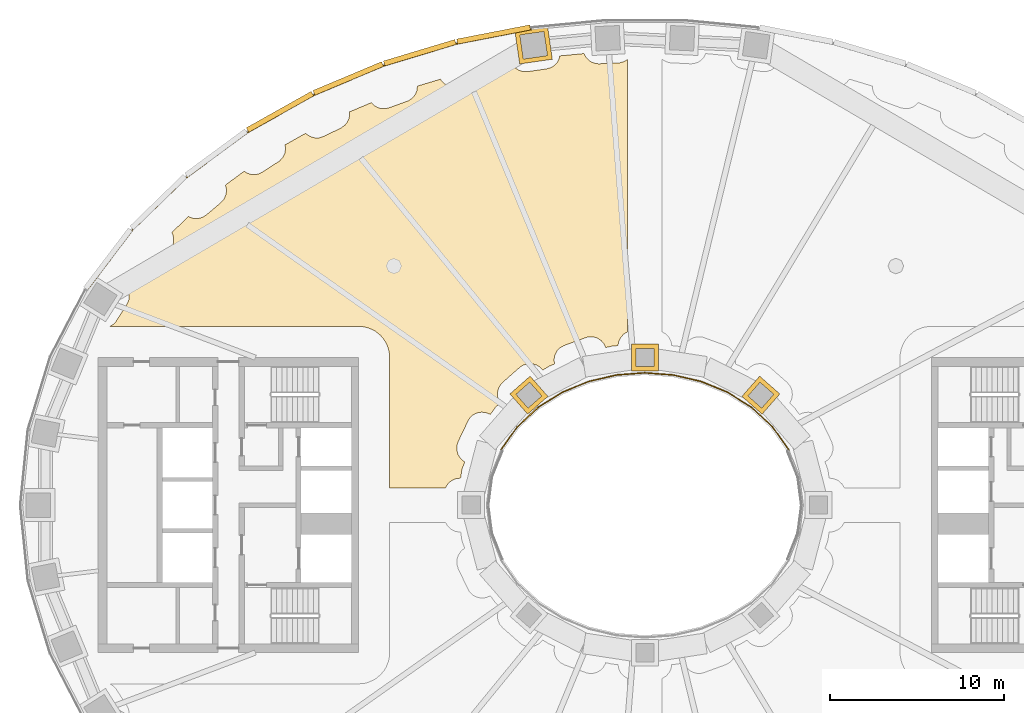
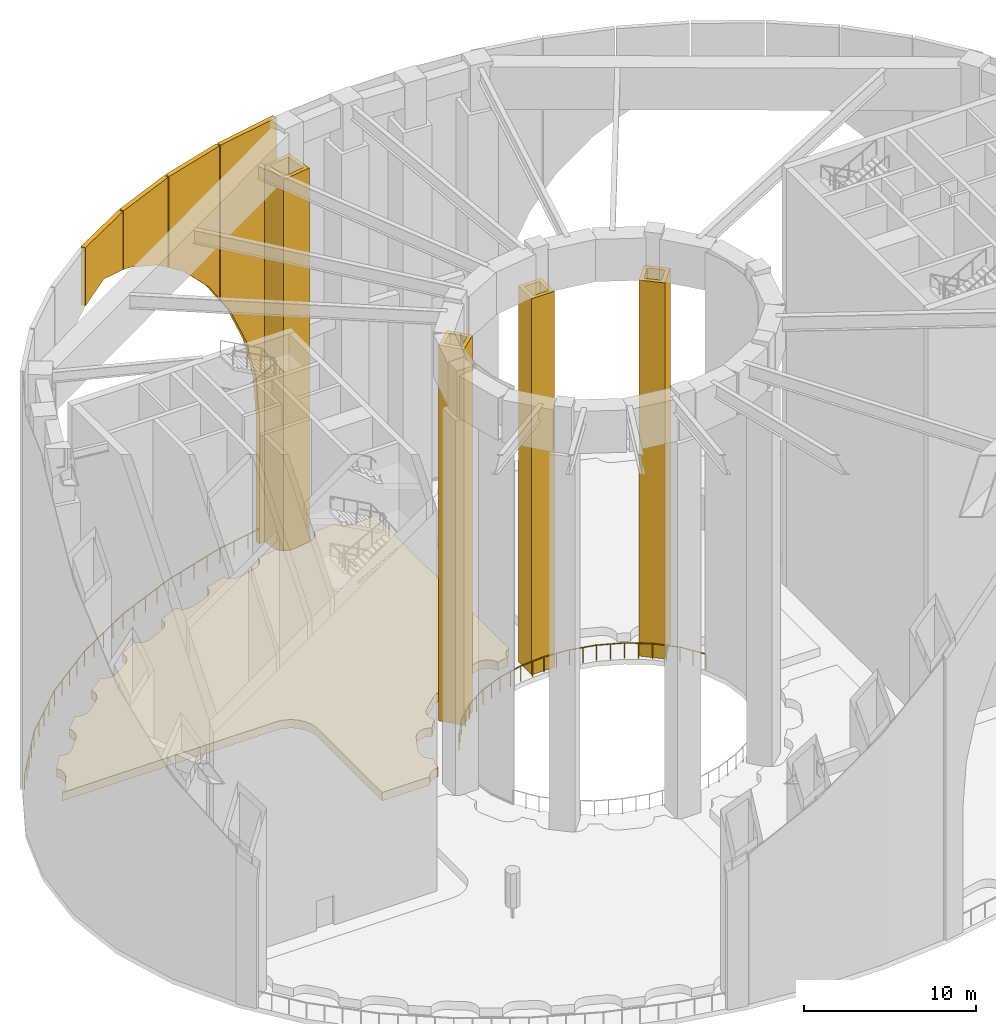
# One storey, part 22 of 26: 9 coverings, 2 railings.
"""IFC4 building model written with IfcOpenShell, lengths in metres."""

from ifc_helpers import new_model, si_unit, direction, frame, origin, origin_2d, place, context, subcontext, project, spatial, polyline, rectangle, outline, extrude, material, layer, layer_set, type_object, element, save


model = new_model("IFC4")

# Units and contexts
model_context = context("Model", 3, precision=1e-05, world=origin(), true_north=direction((0.0, 1.0)))
body_context = subcontext(model_context, "Body", "Model", "MODEL_VIEW")
ifc_project = project(units=[si_unit("LENGTHUNIT", "METRE"), si_unit("AREAUNIT", "SQUARE_METRE"), si_unit("VOLUMEUNIT", "CUBIC_METRE"), si_unit("PLANEANGLEUNIT", "RADIAN"), si_unit("MASSUNIT", "GRAM", prefix="KILO")], contexts=[model_context])

# Site, building, storey
site_placement = place(None, origin())
site = spatial("IfcSite", under=ifc_project, at=site_placement, CompositionType="ELEMENT")
building_placement = place(site_placement, origin())
building = spatial("IfcBuilding", under=site, at=building_placement, Name="Noorbagh Ring Tower", CompositionType="ELEMENT")
storey_placement = place(building_placement, frame((0.0, 0.0, 203.5)))
storey = spatial("IfcBuildingStorey", under=building, at=storey_placement, Name="L47", CompositionType="ELEMENT", Elevation=203.5)

# Railings
ifc_material_1 = material(Name="Stainless steel 316", Category="steel")
railing_type = type_object("IfcRailingType", Name="ENV-GUARD-TERRACE", PredefinedType="GUARDRAIL", material=ifc_material_1)
railing_1_placement = place(storey_placement, frame((-6.54248046875, 27.412353515625, 0.0)))
element("IfcRailing", 1, at=railing_1_placement, inside=storey, type_object=railing_type, Name="Terrace guard arc 2", PredefinedType="GUARDRAIL", context=body_context, shape_type="SweptSolid", body=[
    extrude(rectangle(XDim=0.048095703125, YDim=0.048095703125, at=origin_2d()), frame((0.0, 0.0, 1.076171875), z_axis=(-0.981624683619, -0.190821855429, 0.0), x_axis=(0.190821855429, -0.981624683619, 0.0)), (0.0, 0.0, 1.0), 4.374267578125),
    extrude(rectangle(XDim=0.048095703125, YDim=0.048095703125, at=origin_2d()), frame((-4.2939453125, -0.834716796875, 1.076171875), z_axis=(-0.957572423234, -0.288192738045, 0.0), x_axis=(0.288192738045, -0.957572423234, 0.0)), (0.0, 0.0, 1.0), 4.373779296875),
    extrude(rectangle(XDim=0.048095703125, YDim=0.048095703125, at=origin_2d()), frame((-8.482177734375, -2.09521484375, 1.076171875), z_axis=(-0.921826545382, -0.387602657665, 0.0), x_axis=(0.387602657665, -0.921826545382, 0.0)), (0.0, 0.0, 1.0), 4.37255859375),
    extrude(rectangle(XDim=0.048095703125, YDim=0.048095703125, at=origin_2d()), frame((-12.512939453125, -3.7900390625, 1.076171875), z_axis=(-0.872049444011, -0.489417783903, 0.0), x_axis=(0.489417783903, -0.872049444011, 0.0)), (0.0, 0.0, 1.0), 4.371337890625),
    extrude(rectangle(XDim=0.048095703125, YDim=0.048095703125, at=origin_2d()), frame((-16.324951171875, -5.929443359375, 1.076171875), z_axis=(-0.80514009704, -0.593084668609, 0.0), x_axis=(0.593084668609, -0.80514009704, 0.0)), (0.0, 0.0, 1.0), 4.369140625),
    extrude(rectangle(XDim=0.048095703125, YDim=0.048095703125, at=origin_2d()), frame((-19.8427734375, -8.520751953125, 1.076171875), z_axis=(-0.717208327463, -0.696858820004, 0.0), x_axis=(0.696858820004, -0.717208327463, 0.0)), (0.0, 0.0, 1.0), 4.366943359375),
    extrude(rectangle(XDim=0.048095703125, YDim=0.048095703125, at=origin_2d()), frame((-22.974853515625, -11.56396484375, 1.076171875), z_axis=(-0.604055847, -0.796941988921, 0.0), x_axis=(0.796941988921, -0.604055847, 0.0)), (0.0, 0.0, 1.0), 4.3642578125),
    extrude(rectangle(XDim=0.0419921875, YDim=0.0419921875, at=origin_2d()), origin(), (0.0, 0.0, 1.0), 1.052001953125),
    extrude(rectangle(XDim=0.0419921875, YDim=0.0419921875, at=origin_2d()), frame((-1.073486328125, -0.208740234375, 0.0)), (0.0, 0.0, 1.0), 1.052001953125),
    extrude(rectangle(XDim=0.0419921875, YDim=0.0419921875, at=origin_2d()), frame((-2.14697265625, -0.41748046875, 0.0)), (0.0, 0.0, 1.0), 1.052001953125),
    extrude(rectangle(XDim=0.0419921875, YDim=0.0419921875, at=origin_2d()), frame((-3.220458984375, -0.6259765625, 0.0)), (0.0, 0.0, 1.0), 1.052001953125),
    extrude(rectangle(XDim=0.0419921875, YDim=0.0419921875, at=origin_2d()), frame((-4.2939453125, -0.834716796875, 0.0)), (0.0, 0.0, 1.0), 1.052001953125),
    extrude(rectangle(XDim=0.0419921875, YDim=0.0419921875, at=origin_2d()), frame((-5.341064453125, -1.14990234375, 0.0)), (0.0, 0.0, 1.0), 1.052001953125),
    extrude(rectangle(XDim=0.0419921875, YDim=0.0419921875, at=origin_2d()), frame((-6.38818359375, -1.46484375, 0.0)), (0.0, 0.0, 1.0), 1.052001953125),
    extrude(rectangle(XDim=0.0419921875, YDim=0.0419921875, at=origin_2d()), frame((-7.43505859375, -1.780029296875, 0.0)), (0.0, 0.0, 1.0), 1.052001953125),
    extrude(rectangle(XDim=0.0419921875, YDim=0.0419921875, at=origin_2d()), frame((-8.482177734375, -2.09521484375, 0.0)), (0.0, 0.0, 1.0), 1.052001953125),
    extrude(rectangle(XDim=0.0419921875, YDim=0.0419921875, at=origin_2d()), frame((-9.48974609375, -2.51904296875, 0.0)), (0.0, 0.0, 1.0), 1.052001953125),
    extrude(rectangle(XDim=0.0419921875, YDim=0.0419921875, at=origin_2d()), frame((-10.49755859375, -2.942626953125, 0.0)), (0.0, 0.0, 1.0), 1.052001953125),
    extrude(rectangle(XDim=0.0419921875, YDim=0.0419921875, at=origin_2d()), frame((-11.50537109375, -3.3662109375, 0.0)), (0.0, 0.0, 1.0), 1.052001953125),
    extrude(rectangle(XDim=0.0419921875, YDim=0.0419921875, at=origin_2d()), frame((-12.512939453125, -3.7900390625, 0.0)), (0.0, 0.0, 1.0), 1.052001953125),
    extrude(rectangle(XDim=0.0419921875, YDim=0.0419921875, at=origin_2d()), frame((-13.4658203125, -4.324951171875, 0.0)), (0.0, 0.0, 1.0), 1.052001953125),
    extrude(rectangle(XDim=0.0419921875, YDim=0.0419921875, at=origin_2d()), frame((-14.4189453125, -4.85986328125, 0.0)), (0.0, 0.0, 1.0), 1.052001953125),
    extrude(rectangle(XDim=0.0419921875, YDim=0.0419921875, at=origin_2d()), frame((-15.3720703125, -5.39453125, 0.0)), (0.0, 0.0, 1.0), 1.052001953125),
    extrude(rectangle(XDim=0.0419921875, YDim=0.0419921875, at=origin_2d()), frame((-16.324951171875, -5.929443359375, 0.0)), (0.0, 0.0, 1.0), 1.052001953125),
    extrude(rectangle(XDim=0.0419921875, YDim=0.0419921875, at=origin_2d()), frame((-17.204345703125, -6.5771484375, 0.0)), (0.0, 0.0, 1.0), 1.052001953125),
    extrude(rectangle(XDim=0.0419921875, YDim=0.0419921875, at=origin_2d()), frame((-18.083984375, -7.22509765625, 0.0)), (0.0, 0.0, 1.0), 1.052001953125),
    extrude(rectangle(XDim=0.0419921875, YDim=0.0419921875, at=origin_2d()), frame((-18.96337890625, -7.873046875, 0.0)), (0.0, 0.0, 1.0), 1.052001953125),
    extrude(rectangle(XDim=0.0419921875, YDim=0.0419921875, at=origin_2d()), frame((-19.8427734375, -8.520751953125, 0.0)), (0.0, 0.0, 1.0), 1.052001953125),
    extrude(rectangle(XDim=0.0419921875, YDim=0.0419921875, at=origin_2d()), frame((-20.625732421875, -9.281494140625, 0.0)), (0.0, 0.0, 1.0), 1.052001953125),
    extrude(rectangle(XDim=0.0419921875, YDim=0.0419921875, at=origin_2d()), frame((-21.40869140625, -10.04248046875, 0.0)), (0.0, 0.0, 1.0), 1.052001953125),
    extrude(rectangle(XDim=0.0419921875, YDim=0.0419921875, at=origin_2d()), frame((-22.19189453125, -10.80322265625, 0.0)), (0.0, 0.0, 1.0), 1.052001953125),
    extrude(rectangle(XDim=0.0419921875, YDim=0.0419921875, at=origin_2d()), frame((-22.974853515625, -11.56396484375, 0.0)), (0.0, 0.0, 1.0), 1.052001953125),
    extrude(rectangle(XDim=0.0419921875, YDim=0.0419921875, at=origin_2d()), frame((-23.6337890625, -12.43359375, 0.0)), (0.0, 0.0, 1.0), 1.052001953125),
    extrude(rectangle(XDim=0.0419921875, YDim=0.0419921875, at=origin_2d()), frame((-24.29296875, -13.302978515625, 0.0)), (0.0, 0.0, 1.0), 1.052001953125),
    extrude(rectangle(XDim=0.0419921875, YDim=0.0419921875, at=origin_2d()), frame((-24.9521484375, -14.17236328125, 0.0)), (0.0, 0.0, 1.0), 1.052001953125),
    extrude(rectangle(XDim=0.0419921875, YDim=0.0419921875, at=origin_2d()), frame((-25.611083984375, -15.0419921875, 0.0)), (0.0, 0.0, 1.0), 1.052001953125),
])
railing_2_placement = place(storey_placement, frame((8.296630859375, 3.166259765625, 0.0)))
element("IfcRailing", 2, at=railing_2_placement, inside=storey, type_object=railing_type, Name="Terrace guard well edge 1", PredefinedType="GUARDRAIL", context=body_context, shape_type="SweptSolid", body=[
    extrude(rectangle(XDim=0.048095703125, YDim=0.048095703125, at=origin_2d()), frame((0.0, 0.0, 1.076171875), z_axis=(-0.575093040454, 0.818088011659, 0.0), x_axis=(-0.818088011659, -0.575093040454, 0.0)), (0.0, 0.0, 1.0), 1.646728515625),
    extrude(rectangle(XDim=0.048095703125, YDim=0.048095703125, at=origin_2d()), frame((-0.947021484375, 1.34716796875, 1.076171875), z_axis=(-0.732825217682, 0.680416931248, 0.0), x_axis=(-0.680416931248, -0.732825217682, 0.0)), (0.0, 0.0, 1.0), 1.64453125),
    extrude(rectangle(XDim=0.048095703125, YDim=0.048095703125, at=origin_2d()), frame((-2.152099609375, 2.466064453125, 1.076171875), z_axis=(-0.847379906848, 0.530987093506, 0.0), x_axis=(-0.530987093506, -0.847379906848, 0.0)), (0.0, 0.0, 1.0), 1.642822265625),
    extrude(rectangle(XDim=0.048095703125, YDim=0.048095703125, at=origin_2d()), frame((-3.544189453125, 3.33837890625, 1.076171875), z_axis=(-0.925639334748, 0.378406952852, 0.0), x_axis=(-0.378406952852, -0.925639334748, 0.0)), (0.0, 0.0, 1.0), 1.641357421875),
    extrude(rectangle(XDim=0.048095703125, YDim=0.048095703125, at=origin_2d()), frame((-5.0634765625, 3.95947265625, 1.076171875), z_axis=(-0.974076707118, 0.226217967123, 0.0), x_axis=(-0.226217967123, -0.974076707118, 0.0)), (0.0, 0.0, 1.0), 1.640380859375),
    extrude(rectangle(XDim=0.048095703125, YDim=0.048095703125, at=origin_2d()), frame((-6.661376953125, 4.33056640625, 1.076171875), z_axis=(-0.997158637168, 0.075330288206, 0.0), x_axis=(-0.075330288206, -0.997158637168, 0.0)), (0.0, 0.0, 1.0), 1.639892578125),
    extrude(rectangle(XDim=0.048095703125, YDim=0.048095703125, at=origin_2d()), frame((-8.296630859375, 4.4541015625, 1.076171875), z_axis=(-0.997158637168, -0.075330288206, 0.0), x_axis=(0.075330288206, -0.997158637168, 0.0)), (0.0, 0.0, 1.0), 1.639892578125),
    extrude(rectangle(XDim=0.048095703125, YDim=0.048095703125, at=origin_2d()), frame((-9.931884765625, 4.33056640625, 1.076171875), z_axis=(-0.974076707118, -0.226217967123, 0.0), x_axis=(0.226217967123, -0.974076707118, 0.0)), (0.0, 0.0, 1.0), 1.640380859375),
    extrude(rectangle(XDim=0.048095703125, YDim=0.048095703125, at=origin_2d()), frame((-11.52978515625, 3.95947265625, 1.076171875), z_axis=(-0.925639334748, -0.378406952852, 0.0), x_axis=(0.378406952852, -0.925639334748, 0.0)), (0.0, 0.0, 1.0), 1.641357421875),
    extrude(rectangle(XDim=0.048095703125, YDim=0.048095703125, at=origin_2d()), frame((-13.049072265625, 3.33837890625, 1.076171875), z_axis=(-0.847379906848, -0.530987093506, 0.0), x_axis=(0.530987093506, -0.847379906848, 0.0)), (0.0, 0.0, 1.0), 1.642822265625),
    extrude(rectangle(XDim=0.048095703125, YDim=0.048095703125, at=origin_2d()), frame((-14.441162109375, 2.466064453125, 1.076171875), z_axis=(-0.732825217682, -0.680416931248, 0.0), x_axis=(0.680416931248, -0.732825217682, 0.0)), (0.0, 0.0, 1.0), 1.64453125),
    extrude(rectangle(XDim=0.048095703125, YDim=0.048095703125, at=origin_2d()), frame((-15.646240234375, 1.34716796875, 1.076171875), z_axis=(-0.575093040454, -0.818088011659, 0.0), x_axis=(0.818088011659, -0.575093040454, 0.0)), (0.0, 0.0, 1.0), 1.646728515625),
    extrude(rectangle(XDim=0.0419921875, YDim=0.0419921875, at=origin_2d()), origin(), (0.0, 0.0, 1.0), 1.052001953125),
    extrude(rectangle(XDim=0.0419921875, YDim=0.0419921875, at=origin_2d()), frame((-0.4736328125, 0.673583984375, 0.0)), (0.0, 0.0, 1.0), 1.052001953125),
    extrude(rectangle(XDim=0.0419921875, YDim=0.0419921875, at=origin_2d()), frame((-0.947021484375, 1.34716796875, 0.0)), (0.0, 0.0, 1.0), 1.052001953125),
    extrude(rectangle(XDim=0.0419921875, YDim=0.0419921875, at=origin_2d()), frame((-1.549560546875, 1.90673828125, 0.0)), (0.0, 0.0, 1.0), 1.052001953125),
    extrude(rectangle(XDim=0.0419921875, YDim=0.0419921875, at=origin_2d()), frame((-2.152099609375, 2.466064453125, 0.0)), (0.0, 0.0, 1.0), 1.052001953125),
    extrude(rectangle(XDim=0.0419921875, YDim=0.0419921875, at=origin_2d()), frame((-2.84814453125, 2.90234375, 0.0)), (0.0, 0.0, 1.0), 1.052001953125),
    extrude(rectangle(XDim=0.0419921875, YDim=0.0419921875, at=origin_2d()), frame((-3.544189453125, 3.33837890625, 0.0)), (0.0, 0.0, 1.0), 1.052001953125),
    extrude(rectangle(XDim=0.0419921875, YDim=0.0419921875, at=origin_2d()), frame((-4.3037109375, 3.64892578125, 0.0)), (0.0, 0.0, 1.0), 1.052001953125),
    extrude(rectangle(XDim=0.0419921875, YDim=0.0419921875, at=origin_2d()), frame((-5.0634765625, 3.95947265625, 0.0)), (0.0, 0.0, 1.0), 1.052001953125),
    extrude(rectangle(XDim=0.0419921875, YDim=0.0419921875, at=origin_2d()), frame((-5.8623046875, 4.14501953125, 0.0)), (0.0, 0.0, 1.0), 1.052001953125),
    extrude(rectangle(XDim=0.0419921875, YDim=0.0419921875, at=origin_2d()), frame((-6.661376953125, 4.33056640625, 0.0)), (0.0, 0.0, 1.0), 1.052001953125),
    extrude(rectangle(XDim=0.0419921875, YDim=0.0419921875, at=origin_2d()), frame((-7.47900390625, 4.392333984375, 0.0)), (0.0, 0.0, 1.0), 1.052001953125),
    extrude(rectangle(XDim=0.0419921875, YDim=0.0419921875, at=origin_2d()), frame((-8.296630859375, 4.4541015625, 0.0)), (0.0, 0.0, 1.0), 1.052001953125),
    extrude(rectangle(XDim=0.0419921875, YDim=0.0419921875, at=origin_2d()), frame((-9.1142578125, 4.392333984375, 0.0)), (0.0, 0.0, 1.0), 1.052001953125),
    extrude(rectangle(XDim=0.0419921875, YDim=0.0419921875, at=origin_2d()), frame((-9.931884765625, 4.33056640625, 0.0)), (0.0, 0.0, 1.0), 1.052001953125),
    extrude(rectangle(XDim=0.0419921875, YDim=0.0419921875, at=origin_2d()), frame((-10.73095703125, 4.14501953125, 0.0)), (0.0, 0.0, 1.0), 1.052001953125),
    extrude(rectangle(XDim=0.0419921875, YDim=0.0419921875, at=origin_2d()), frame((-11.52978515625, 3.95947265625, 0.0)), (0.0, 0.0, 1.0), 1.052001953125),
    extrude(rectangle(XDim=0.0419921875, YDim=0.0419921875, at=origin_2d()), frame((-12.28955078125, 3.64892578125, 0.0)), (0.0, 0.0, 1.0), 1.052001953125),
    extrude(rectangle(XDim=0.0419921875, YDim=0.0419921875, at=origin_2d()), frame((-13.049072265625, 3.33837890625, 0.0)), (0.0, 0.0, 1.0), 1.052001953125),
    extrude(rectangle(XDim=0.0419921875, YDim=0.0419921875, at=origin_2d()), frame((-13.7451171875, 2.90234375, 0.0)), (0.0, 0.0, 1.0), 1.052001953125),
    extrude(rectangle(XDim=0.0419921875, YDim=0.0419921875, at=origin_2d()), frame((-14.441162109375, 2.466064453125, 0.0)), (0.0, 0.0, 1.0), 1.052001953125),
    extrude(rectangle(XDim=0.0419921875, YDim=0.0419921875, at=origin_2d()), frame((-15.043701171875, 1.90673828125, 0.0)), (0.0, 0.0, 1.0), 1.052001953125),
    extrude(rectangle(XDim=0.0419921875, YDim=0.0419921875, at=origin_2d()), frame((-15.646240234375, 1.34716796875, 0.0)), (0.0, 0.0, 1.0), 1.052001953125),
    extrude(rectangle(XDim=0.0419921875, YDim=0.0419921875, at=origin_2d()), frame((-16.11962890625, 0.673583984375, 0.0)), (0.0, 0.0, 1.0), 1.052001953125),
    extrude(rectangle(XDim=0.0419921875, YDim=0.0419921875, at=origin_2d()), frame((-16.59326171875, 0.0, 0.0)), (0.0, 0.0, 1.0), 1.052001953125),
])

# Coverings
ifc_material_2 = material(Name="Concrete C30/37 planter with soil", Category="concrete")
covering_type_1 = type_object("IfcCoveringType", Name="ENV-PLANTER", PredefinedType="CLADDING", material=ifc_material_2)
covering_1_placement = place(storey_placement, origin())
element("IfcCovering", 3, at=covering_1_placement, inside=storey, type_object=covering_type_1, Name="PLANTER bed 03", ObjectType="PLANTER", PredefinedType="CLADDING", context=body_context, shape_type="SweptSolid", body=[
    extrude(outline(polyline([(-14.699951171875, 8.5), (-14.734619140625, 8.851318359375), (-14.8369140625, 9.188720703125), (-15.00341796875, 9.5), (-15.227294921875, 9.772705078125), (-15.5, 9.99658203125), (-15.651611328125, 10.08740234375), (-15.9775390625, 10.222412109375), (-16.323486328125, 10.291259765625), (-30.80859375, 10.300048828125), (-30.607177734375, 10.430419921875), (-30.4853515625, 10.55810546875), (-29.845703125, 11.5595703125), (-29.766357421875, 11.717041015625), (-29.71923828125, 11.88720703125), (-29.712890625, 12.151123046875), (-29.783203125, 12.40576171875), (-29.886474609375, 12.580078125), (-29.10009765625, 13.617431640625), (-28.892578125, 13.5625), (-28.71630859375, 13.555908203125), (-28.4580078125, 13.6103515625), (-28.29931640625, 13.687744140625), (-28.097412109375, 13.85791015625), (-27.368408203125, 14.681640625), (-27.224365234375, 14.903076171875), (-27.150634765625, 15.156494140625), (-27.15380859375, 15.420654296875), (-27.19873046875, 15.59130859375), (-27.25244140625, 15.706787109375), (-26.302001953125, 16.6298828125), (-26.17822265625, 16.568359375), (-26.0087890625, 16.519775390625), (-25.744873046875, 16.510986328125), (-25.489501953125, 16.5791015625), (-25.26513671875, 16.718505859375), (-24.42578125, 17.429443359375), (-24.251708984375, 17.627685546875), (-24.142333984375, 17.868408203125), (-24.110595703125, 18.0419921875), (-24.11328125, 18.21826171875), (-24.168212890625, 18.43798828125), (-23.085205078125, 19.235595703125), (-22.883544921875, 19.11376953125), (-22.7158203125, 19.059814453125), (-22.4521484375, 19.04248046875), (-22.278564453125, 19.07421875), (-22.0380859375, 19.183349609375), (-21.0419921875, 19.831298828125), (-20.861572265625, 20.024169921875), (-20.74462890625, 20.260986328125), (-20.701904296875, 20.521484375), (-20.72998046875, 20.755859375), (-19.54296875, 21.422119140625), (-19.425537109375, 21.320068359375), (-19.273193359375, 21.231201171875), (-19.019287109375, 21.15771484375), (-18.75537109375, 21.1611328125), (-18.503662109375, 21.2412109375), (-17.515380859375, 21.724365234375), (-17.297607421875, 21.873779296875), (-17.180908203125, 22.006103515625), (-17.059326171875, 22.240478515625), (-17.018798828125, 22.412353515625), (-17.019775390625, 22.65576171875), (-15.75341796875, 23.188232421875), (-15.575927734375, 23.013427734375), (-15.424560546875, 22.923095703125), (-15.25830078125, 22.864013671875), (-14.99560546875, 22.83837890625), (-14.736572265625, 22.890380859375), (-13.619873046875, 23.29638671875), (-13.400390625, 23.443603515625), (-13.233154296875, 23.64794921875), (-13.132568359375, 23.89208984375), (-13.10693359375, 24.139892578125), (-11.78271484375, 24.53857421875), (-11.621826171875, 24.343017578125), (-11.48046875, 24.2373046875), (-11.23681640625, 24.135498046875), (-11.0625, 24.10888671875), (-10.799560546875, 24.134033203125), (-9.64697265625, 24.423095703125), (-9.41357421875, 24.546875), (-9.226318359375, 24.73291015625), (-9.10107421875, 24.965576171875), (-9.0498046875, 25.21337890625), (-7.68603515625, 25.478515625), (-7.599853515625, 25.33447265625), (-7.481689453125, 25.203125), (-7.2626953125, 25.0556640625), (-7.01025390625, 24.97802734375), (-6.74609375, 24.97705078125), (-5.657470703125, 25.134521484375), (-5.404296875, 25.210205078125), (-5.252685546875, 25.30029296875), (-5.065185546875, 25.486328125), (-4.97412109375, 25.637451171875), (-4.898193359375, 25.881591796875), (-3.51171875, 26.013916015625), (-3.39013671875, 25.787353515625), (-3.20361328125, 25.600341796875), (-3.052490234375, 25.509521484375), (-2.7998046875, 25.432373046875), (-2.62353515625, 25.423583984375), (-1.43701171875, 25.484375), (-1.18408203125, 25.560546875), (-1.0, 25.677734375), (-1.0, 9.981689453125), (-1.220947265625, 9.8486328125), (-1.398193359375, 9.65283203125), (-1.51123046875, 9.4140625), (-1.54833984375, 9.188232421875), (-1.889404296875, 9.1572265625), (-2.2568359375, 9.0771484375), (-2.303466796875, 9.191650390625), (-2.395263671875, 9.34228515625), (-2.5146484375, 9.47216796875), (-2.656982421875, 9.576171875), (-2.817138671875, 9.650390625), (-2.988525390625, 9.69189453125), (-3.164794921875, 9.699462890625), (-3.339111328125, 9.672119140625), (-4.644287109375, 9.198974609375), (-4.876220703125, 9.07275390625), (-5.0615234375, 8.884521484375), (-5.184326171875, 8.650634765625), (-5.23388671875, 8.391357421875), (-5.207275390625, 8.133544921875), (-5.518798828125, 7.9990234375), (-5.88671875, 7.7763671875), (-6.076171875, 7.9658203125), (-6.22607421875, 8.058837890625), (-6.391357421875, 8.120849609375), (-6.5654296875, 8.1494140625), (-6.74169921875, 8.143310546875), (-6.91357421875, 8.10302734375), (-7.07421875, 8.030029296875), (-7.21728515625, 7.927001953125), (-8.19384765625, 7.068603515625), (-8.364501953125, 6.8671875), (-8.468994140625, 6.62451171875), (-8.4990234375, 6.3623046875), (-8.451416015625, 6.102294921875), (-8.341552734375, 5.884765625), (-8.61474609375, 5.61767578125), (-8.904541015625, 5.222900390625), (-9.080078125, 5.30126953125), (-9.251220703125, 5.344482421875), (-9.42724609375, 5.353271484375), (-9.601806640625, 5.32763671875), (-9.76806640625, 5.268310546875), (-9.91943359375, 5.177978515625), (-10.05029296875, 5.0595703125), (-10.155517578125, 4.91796875), (-10.754638671875, 3.66552734375), (-10.83154296875, 3.4130859375), (-10.831787109375, 3.14892578125), (-10.755615234375, 2.89599609375), (-10.609130859375, 2.67626953125), (-10.478515625, 2.5576171875), (-10.375244140625, 2.492431640625), (-10.5126953125, 2.13134765625), (-10.55078125, 1.985595703125), (-10.61376953125, 1.550048828125), (-10.74658203125, 1.545654296875), (-10.919677734375, 1.51123046875), (-11.158447265625, 1.398193359375), (-11.35400390625, 1.220947265625), (-11.4873046875, 1.0), (-14.699951171875, 1.0), (-14.699951171875, 8.5)])), origin(), (0.0, 0.0, 1.0), 0.60009765625),
])
ifc_material_3 = material(Name="Sandstone cladding", Category="masonry")
ifc_layer_1 = layer(ifc_material_3, 0.300048828125)
ifc_layer_set_1 = layer_set([ifc_layer_1], Name="Sandstone cladding")
covering_type_2 = type_object("IfcCoveringType", Name="STYLE-IWAN", PredefinedType="CLADDING", material=ifc_layer_set_1)
covering_2_placement = place(storey_placement, frame((-8.683837890625, 26.965576171875, 0.0), z_axis=(-0.190820470077, 0.981624952922, 0.0), x_axis=(-0.981624952922, -0.190820470077, 0.0)))
element("IfcCovering", 4, at=covering_2_placement, inside=storey, type_object=covering_type_2, Name="Gateway frame F14", ObjectType="ARCH", PredefinedType="CLADDING", context=body_context, shape_type="SweptSolid", body=[
    extrude(outline(polyline([(-2.14306640625, 0.0), (-0.84228515625, 0.0), (-0.84228515625, 9.0), (-0.586669921875, 11.985595703125), (0.172607421875, 14.884521484375), (1.41357421875, 17.61181640625), (2.14306640625, 18.68310546875), (2.14306640625, 29.699951171875), (-2.14306640625, 29.699951171875), (-2.14306640625, 0.0)])), origin(), (0.0, 0.0, 1.0), 0.300048828125),
])
covering_3_placement = place(storey_placement, frame((-12.922119140625, 25.918701171875, 0.0), z_axis=(-0.28817445525, 0.957577925467, 0.0), x_axis=(-0.957577925467, -0.28817445525, 0.0)))
element("IfcCovering", 5, at=covering_3_placement, inside=storey, type_object=covering_type_2, Name="Gateway frame F15", ObjectType="ARCH", PredefinedType="CLADDING", context=body_context, shape_type="SweptSolid", body=[
    extrude(outline(polyline([(-2.14306640625, 29.699951171875), (-2.14306640625, 18.830078125), (-1.285888671875, 20.088623046875), (0.797119140625, 22.242919921875), (2.14306640625, 23.227294921875), (2.14306640625, 29.699951171875), (-2.14306640625, 29.699951171875)])), origin(), (0.0, 0.0, 1.0), 0.300048828125),
])
covering_4_placement = place(storey_placement, frame((-17.028564453125, 24.44189453125, 0.0), z_axis=(-0.387638279686, 0.921811566494, 0.0), x_axis=(-0.921811566494, -0.387638279686, 0.0)))
element("IfcCovering", 6, at=covering_4_placement, inside=storey, type_object=covering_type_2, Name="Gateway frame F16", ObjectType="ARCH", PredefinedType="CLADDING", context=body_context, shape_type="SweptSolid", body=[
    extrude(outline(polyline([(-2.142822265625, 29.699951171875), (-2.142822265625, 23.30029296875), (-1.170166015625, 24.01171875), (1.513916015625, 25.34375), (2.142822265625, 25.53125), (2.142822265625, 29.699951171875), (-2.142822265625, 29.699951171875)])), origin(), (0.0, 0.0, 1.0), 0.300048828125),
])
covering_5_placement = place(storey_placement, frame((-20.947021484375, 22.526123046875, 0.0), z_axis=(-0.48942643941, 0.872044586249, 0.0), x_axis=(-0.872044586249, -0.48942643941, 0.0)))
element("IfcCovering", 7, at=covering_5_placement, inside=storey, type_object=covering_type_2, Name="Gateway frame F17", ObjectType="ARCH", PredefinedType="CLADDING", context=body_context, shape_type="SweptSolid", body=[
    extrude(outline(polyline([(-2.142578125, 29.699951171875), (-2.142578125, 25.56103515625), (0.0, 26.199951171875), (2.142578125, 25.56103515625), (2.142578125, 29.699951171875), (-2.142578125, 29.699951171875)])), origin(), (0.0, 0.0, 1.0), 0.300048828125),
])
ifc_material_4 = material(Name="Sandstone cladding", Category="masonry")
ifc_layer_2 = layer(ifc_material_4, 0.25)
ifc_layer_set_2 = layer_set([ifc_layer_2], Name="Sandstone cladding")
covering_type_3 = type_object("IfcCoveringType", Name="STYLE-IWAN-PIER", PredefinedType="CLADDING", material=ifc_layer_set_2)
covering_6_placement = place(storey_placement, origin())
element("IfcCovering", 8, at=covering_6_placement, inside=storey, type_object=covering_type_3, Name="Pier casing R1-14", ObjectType="PIER", PredefinedType="CLADDING", context=body_context, shape_type="SweptSolid", body=[
    extrude(outline(polyline([(-5.60498046875, 27.56689453125), (-5.3330078125, 25.6865234375), (-7.213623046875, 25.414794921875), (-7.4853515625, 27.295166015625), (-5.60498046875, 27.56689453125)]), holes=[polyline([(-5.816650390625, 27.28369140625), (-7.2021484375, 27.08349609375), (-7.001953125, 25.697998046875), (-5.6162109375, 25.898193359375), (-5.816650390625, 27.28369140625)])]), origin(), (0.0, 0.0, 1.0), 26.699951171875),
])
covering_7_placement = place(storey_placement, origin())
element("IfcCovering", 9, at=covering_7_placement, inside=storey, type_object=covering_type_3, Name="Pier casing IR2-W05", ObjectType="PIER", PredefinedType="CLADDING", context=body_context, shape_type="SweptSolid", body=[
    extrude(outline(polyline([(7.77587890625, 6.404052734375), (6.75244140625, 5.239990234375), (5.58837890625, 6.263427734375), (6.61181640625, 7.427490234375), (7.77587890625, 6.404052734375)]), holes=[polyline([(7.423095703125, 6.38134765625), (6.634521484375, 7.07470703125), (5.94140625, 6.2861328125), (6.729736328125, 5.593017578125), (7.423095703125, 6.38134765625)])]), origin(), (0.0, 0.0, 1.0), 26.699951171875),
])
covering_8_placement = place(storey_placement, origin())
element("IfcCovering", 10, at=covering_8_placement, inside=storey, type_object=covering_type_3, Name="Pier casing IR2-W09", ObjectType="PIER", PredefinedType="CLADDING", context=body_context, shape_type="SweptSolid", body=[
    extrude(outline(polyline([(0.77490234375, 9.27783203125), (0.77490234375, 7.727783203125), (-0.77490234375, 7.727783203125), (-0.77490234375, 9.27783203125), (0.77490234375, 9.27783203125)]), holes=[polyline([(0.52490234375, 9.02783203125), (-0.52490234375, 9.02783203125), (-0.52490234375, 7.977783203125), (0.52490234375, 7.977783203125), (0.52490234375, 9.02783203125)])]), origin(), (0.0, 0.0, 1.0), 26.699951171875),
])
covering_9_placement = place(storey_placement, origin())
element("IfcCovering", 11, at=covering_9_placement, inside=storey, type_object=covering_type_3, Name="Pier casing IR2-W13", ObjectType="PIER", PredefinedType="CLADDING", context=body_context, shape_type="SweptSolid", body=[
    extrude(outline(polyline([(-6.61181640625, 7.427490234375), (-5.58837890625, 6.263427734375), (-6.75244140625, 5.239990234375), (-7.77587890625, 6.404052734375), (-6.61181640625, 7.427490234375)]), holes=[polyline([(-6.634521484375, 7.07470703125), (-7.423095703125, 6.38134765625), (-6.729736328125, 5.593017578125), (-5.94140625, 6.2861328125), (-6.634521484375, 7.07470703125)])]), origin(), (0.0, 0.0, 1.0), 26.699951171875),
])

save(model, "model.ifc")
